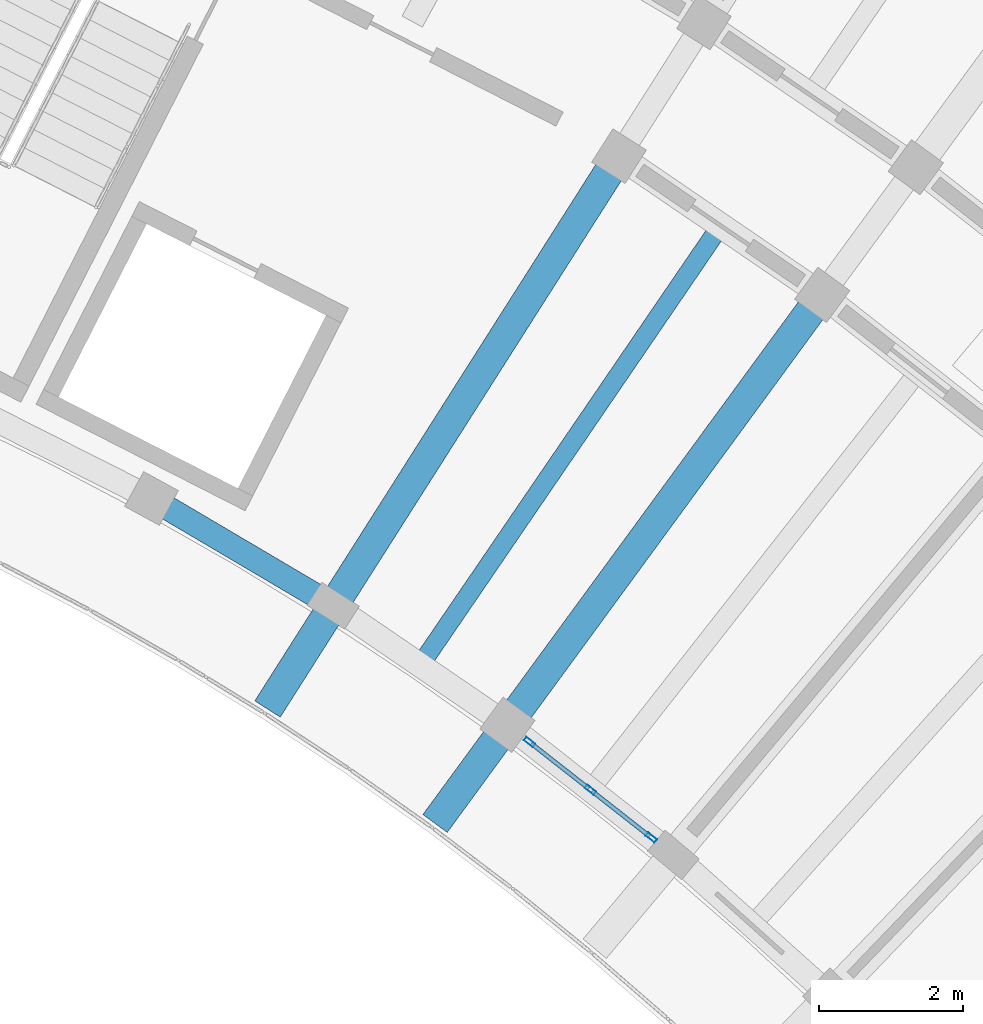
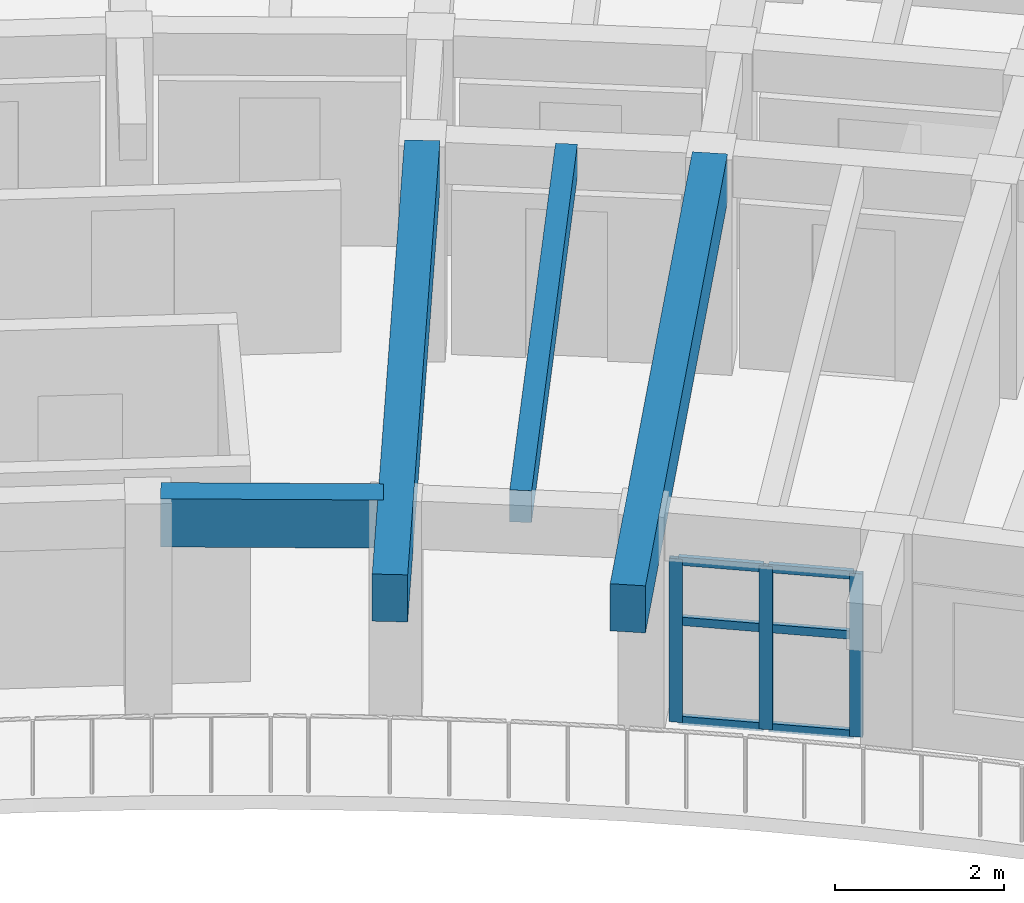
# One storey, part 20 of 81: 9 members, 4 beams, 1 element without a shape of its own.
"""IFC4 building model written with IfcOpenShell, lengths in metres."""

from ifc_helpers import new_model, si_unit, direction, frame, origin, origin_2d, place, context, subcontext, project, spatial, rectangle, hollow_rectangle, extrude, material, material_profile, profile_set, type_object, element, aggregate, save


model = new_model("IFC4")

# Units and contexts
model_context = context("Model", 3, precision=1e-05, world=origin(), true_north=direction((0.0, 1.0)))
body_context = subcontext(model_context, "Body", "Model", "MODEL_VIEW")
ifc_project = project(units=[si_unit("LENGTHUNIT", "METRE"), si_unit("AREAUNIT", "SQUARE_METRE"), si_unit("VOLUMEUNIT", "CUBIC_METRE"), si_unit("PLANEANGLEUNIT", "RADIAN"), si_unit("MASSUNIT", "GRAM", prefix="KILO")], contexts=[model_context])

# Site, building, storey
site_placement = place(None, origin())
site = spatial("IfcSite", under=ifc_project, at=site_placement, CompositionType="ELEMENT")
building_placement = place(site_placement, origin())
building = spatial("IfcBuilding", under=site, at=building_placement, Name="Tanwirah Colonnade Gardens", CompositionType="ELEMENT")
storey_placement = place(building_placement, frame((0.0, 0.0, 8.840087890625)))
storey = spatial("IfcBuildingStorey", under=building, at=storey_placement, Name="L02", CompositionType="ELEMENT", Elevation=8.840087890625)

# Beams
ifc_material_1 = material(Name="Precast concrete C45/55", Category="concrete")
ifc_material_profile_1 = material_profile(ifc_material_1, rectangle(XDim=0.419921875, YDim=0.679931640625, at=origin_2d()), Name="PC-BM 420x680")
ifc_profile_set_1 = profile_set([ifc_material_profile_1], Name="Precast concrete C45/55")
beam_type_1 = type_object("IfcBeamType", Name="BM-PC420", PredefinedType="BEAM", material=ifc_profile_set_1)
for number, where, z_axis, x_axis, name in (
    (1, (151.550537109375, 101.907958984375, 2.764892578125), (-0.590927205009, -0.806724883947, 0.0), (0.806724883947, -0.590927205009, 0.0), "Block B L02 Inner Radial Precast Girder 10"),
    (2, (148.736083984375, 103.830322265625, 2.764892578125), (-0.536483588607, -0.843910753075, 0.0), (0.843910753075, -0.536483588607, 0.0), "Block B L02 Inner Radial Precast Girder 11"),
):
    element("IfcBeam", number, at=place(storey_placement, frame(where, z_axis=z_axis, x_axis=x_axis)), inside=storey, type_object=beam_type_1, Name=name, PredefinedType="BEAM", context=body_context, shape_type="SweptSolid", body=[
        extrude(rectangle(XDim=0.419921875, YDim=0.679931640625, at=origin_2d()), origin(), (0.0, 0.0, 1.0), 8.949951171875),
    ])

# Curtain wall, members
ifc_material_2 = material(Name="Bronze-anodised aluminium and solar-control low-E glass", Category="aluminium")
curtain_wall_type = type_object("IfcCurtainWallType", Name="CW-GDN", PredefinedType="NOTDEFINED", material=ifc_material_2)
curtain_wall_placement = place(storey_placement, origin())
curtain_wall = element("IfcCurtainWall", 3, at=curtain_wall_placement, inside=storey, type_object=curtain_wall_type, Name="Curtain Wall CW-B-L02-IN-09", PredefinedType="NOTDEFINED")
ifc_material_3 = material(Name="Bronze-anodised aluminium", Category="aluminium")
ifc_material_profile_2 = material_profile(ifc_material_3, hollow_rectangle(XDim=0.06005859375, YDim=0.159912109375, WallThickness=0.00390625, at=origin_2d()), Name="CW-MUL 60x160x4")
ifc_profile_set_2 = profile_set([ifc_material_profile_2], Name="Bronze-anodised aluminium")
member_type_1 = type_object("IfcMemberType", Name="CWM-60x160", PredefinedType="MULLION", material=ifc_profile_set_2)
member_1_placement = place(storey_placement, frame((149.26513671875, 94.491455078125, 0.0), z_axis=(0.0, 0.0, 1.0), x_axis=(-0.617188542982, -0.786815291166, 0.0)))
member_1 = element("IfcMember", 4, at=member_1_placement, type_object=member_type_1, Name="CW-GDN mullion 1", PredefinedType="MULLION", context=body_context, shape_type="SweptSolid", body=[
    extrude(hollow_rectangle(XDim=0.06005859375, YDim=0.159912109375, WallThickness=0.00390625, at=origin_2d()), origin(), (0.0, 0.0, 1.0), 2.35498046875),
])
member_2_placement = place(storey_placement, frame((148.419189453125, 95.155029296875, 0.0), z_axis=(0.0, 0.0, 1.0), x_axis=(-0.617188542982, -0.786815291166, 0.0)))
member_2 = element("IfcMember", 5, at=member_2_placement, type_object=member_type_1, Name="CW-GDN mullion 2", PredefinedType="MULLION", context=body_context, shape_type="SweptSolid", body=[
    extrude(hollow_rectangle(XDim=0.06005859375, YDim=0.159912109375, WallThickness=0.00390625, at=origin_2d()), origin(), (0.0, 0.0, 1.0), 2.35498046875),
])
member_3_placement = place(storey_placement, frame((147.5732421875, 95.818603515625, 0.0), z_axis=(0.0, 0.0, 1.0), x_axis=(-0.617188542982, -0.786815291166, 0.0)))
member_3 = element("IfcMember", 6, at=member_3_placement, type_object=member_type_1, Name="CW-GDN mullion 3", PredefinedType="MULLION", context=body_context, shape_type="SweptSolid", body=[
    extrude(hollow_rectangle(XDim=0.06005859375, YDim=0.159912109375, WallThickness=0.00390625, at=origin_2d()), origin(), (0.0, 0.0, 1.0), 2.35498046875),
])
ifc_material_profile_3 = material_profile(ifc_material_3, hollow_rectangle(XDim=0.06005859375, YDim=0.1201171875, WallThickness=0.00390625, at=origin_2d()), Name="CW-TRN 60x120x4")
ifc_profile_set_3 = profile_set([ifc_material_profile_3], Name="Bronze-anodised aluminium")
member_type_2 = type_object("IfcMemberType", Name="CWT-60x120", PredefinedType="USERDEFINED", material=ifc_profile_set_3)
member_4_placement = place(storey_placement, frame((149.241455078125, 94.510009765625, 0.030029296875), z_axis=(-0.786885474084, 0.617099060666, 0.0), x_axis=(-0.617099060666, -0.786885474084, 0.0)))
member_4 = element("IfcMember", 7, at=member_4_placement, type_object=member_type_2, Name="CW-GDN transom 1.1", ObjectType="TRANSOM", PredefinedType="USERDEFINED", context=body_context, shape_type="SweptSolid", body=[
    extrude(hollow_rectangle(XDim=0.06005859375, YDim=0.1201171875, WallThickness=0.00390625, at=origin_2d()), origin(), (0.0, 0.0, 1.0), 1.01513671875),
])
member_5_placement = place(storey_placement, frame((149.241455078125, 94.510009765625, 1.4599609375), z_axis=(-0.786885474084, 0.617099060666, 0.0), x_axis=(-0.617099060666, -0.786885474084, 0.0)))
member_5 = element("IfcMember", 8, at=member_5_placement, type_object=member_type_2, Name="CW-GDN transom 1.2", ObjectType="TRANSOM", PredefinedType="USERDEFINED", context=body_context, shape_type="SweptSolid", body=[
    extrude(hollow_rectangle(XDim=0.06005859375, YDim=0.1201171875, WallThickness=0.00390625, at=origin_2d()), origin(), (0.0, 0.0, 1.0), 1.01513671875),
])
member_6_placement = place(storey_placement, frame((149.241455078125, 94.510009765625, 2.324951171875), z_axis=(-0.786885474084, 0.617099060666, 0.0), x_axis=(-0.617099060666, -0.786885474084, 0.0)))
member_6 = element("IfcMember", 9, at=member_6_placement, type_object=member_type_2, Name="CW-GDN transom 1.3", ObjectType="TRANSOM", PredefinedType="USERDEFINED", context=body_context, shape_type="SweptSolid", body=[
    extrude(hollow_rectangle(XDim=0.06005859375, YDim=0.1201171875, WallThickness=0.00390625, at=origin_2d()), origin(), (0.0, 0.0, 1.0), 1.01513671875),
])
member_7_placement = place(storey_placement, frame((148.3955078125, 95.17333984375, 0.030029296875), z_axis=(-0.786768698357, 0.617247936639, 0.0), x_axis=(-0.617247936639, -0.786768698357, 0.0)))
member_7 = element("IfcMember", 10, at=member_7_placement, type_object=member_type_2, Name="CW-GDN transom 2.1", ObjectType="TRANSOM", PredefinedType="USERDEFINED", context=body_context, shape_type="SweptSolid", body=[
    extrude(hollow_rectangle(XDim=0.06005859375, YDim=0.1201171875, WallThickness=0.00390625, at=origin_2d()), origin(), (0.0, 0.0, 1.0), 1.015380859375),
])
member_8_placement = place(storey_placement, frame((148.3955078125, 95.17333984375, 1.4599609375), z_axis=(-0.786768698357, 0.617247936639, 0.0), x_axis=(-0.617247936639, -0.786768698357, 0.0)))
member_8 = element("IfcMember", 11, at=member_8_placement, type_object=member_type_2, Name="CW-GDN transom 2.2", ObjectType="TRANSOM", PredefinedType="USERDEFINED", context=body_context, shape_type="SweptSolid", body=[
    extrude(hollow_rectangle(XDim=0.06005859375, YDim=0.1201171875, WallThickness=0.00390625, at=origin_2d()), origin(), (0.0, 0.0, 1.0), 1.015380859375),
])
member_9_placement = place(storey_placement, frame((148.3955078125, 95.17333984375, 2.324951171875), z_axis=(-0.786768698357, 0.617247936639, 0.0), x_axis=(-0.617247936639, -0.786768698357, 0.0)))
member_9 = element("IfcMember", 12, at=member_9_placement, type_object=member_type_2, Name="CW-GDN transom 2.3", ObjectType="TRANSOM", PredefinedType="USERDEFINED", context=body_context, shape_type="SweptSolid", body=[
    extrude(hollow_rectangle(XDim=0.06005859375, YDim=0.1201171875, WallThickness=0.00390625, at=origin_2d()), origin(), (0.0, 0.0, 1.0), 1.015380859375),
])
aggregate(curtain_wall, [member_1, member_2, member_3, member_4, member_5, member_6, member_7, member_8, member_9])

# Beams
ifc_material_4 = material(Name="Precast concrete C40/50", Category="concrete")
ifc_material_profile_4 = material_profile(ifc_material_4, rectangle(XDim=0.260009765625, YDim=0.4599609375, at=origin_2d()), Name="PC-JST 260x460")
ifc_profile_set_4 = profile_set([ifc_material_profile_4], Name="Precast concrete C40/50")
beam_type_2 = type_object("IfcBeamType", Name="JST-PC260", PredefinedType="JOIST", material=ifc_profile_set_4)
beam_1_placement = place(storey_placement, frame((146.1376953125, 97.004638671875, 2.875), z_axis=(0.564021195806, 0.825760310672, 0.0), x_axis=(-0.825760310672, 0.564021195806, 0.0)))
element("IfcBeam", 13, at=beam_1_placement, inside=storey, type_object=beam_type_2, Name="Block B L02 Inner Precast Floor Joist 10", PredefinedType="JOIST", context=body_context, shape_type="SweptSolid", body=[
    extrude(rectangle(XDim=0.260009765625, YDim=0.4599609375, at=origin_2d()), origin(), (0.0, 0.0, 1.0), 7.159912109375),
])
ifc_material_profile_5 = material_profile(ifc_material_4, rectangle(XDim=0.3349609375, YDim=0.695068359375, at=origin_2d()), Name="PC-SP 335x695")
ifc_profile_set_5 = profile_set([ifc_material_profile_5], Name="Precast concrete C40/50")
beam_type_3 = type_object("IfcBeamType", Name="SP-PC300", PredefinedType="SPANDREL", material=ifc_profile_set_5)
beam_2_placement = place(storey_placement, frame((144.717529296875, 97.7880859375, 2.75732421875), z_axis=(-0.861148181788, 0.508354019363, 0.0), x_axis=(-0.508354019363, -0.861148181788, 0.0)))
element("IfcBeam", 14, at=beam_2_placement, inside=storey, type_object=beam_type_3, Name="Block B L02 Circumferential Beam 11-R0", PredefinedType="SPANDREL", context=body_context, shape_type="SweptSolid", body=[
    extrude(rectangle(XDim=0.3349609375, YDim=0.695068359375, at=origin_2d()), origin(), (0.0, 0.0, 1.0), 2.63037109375),
])

save(model, "model.ifc")
